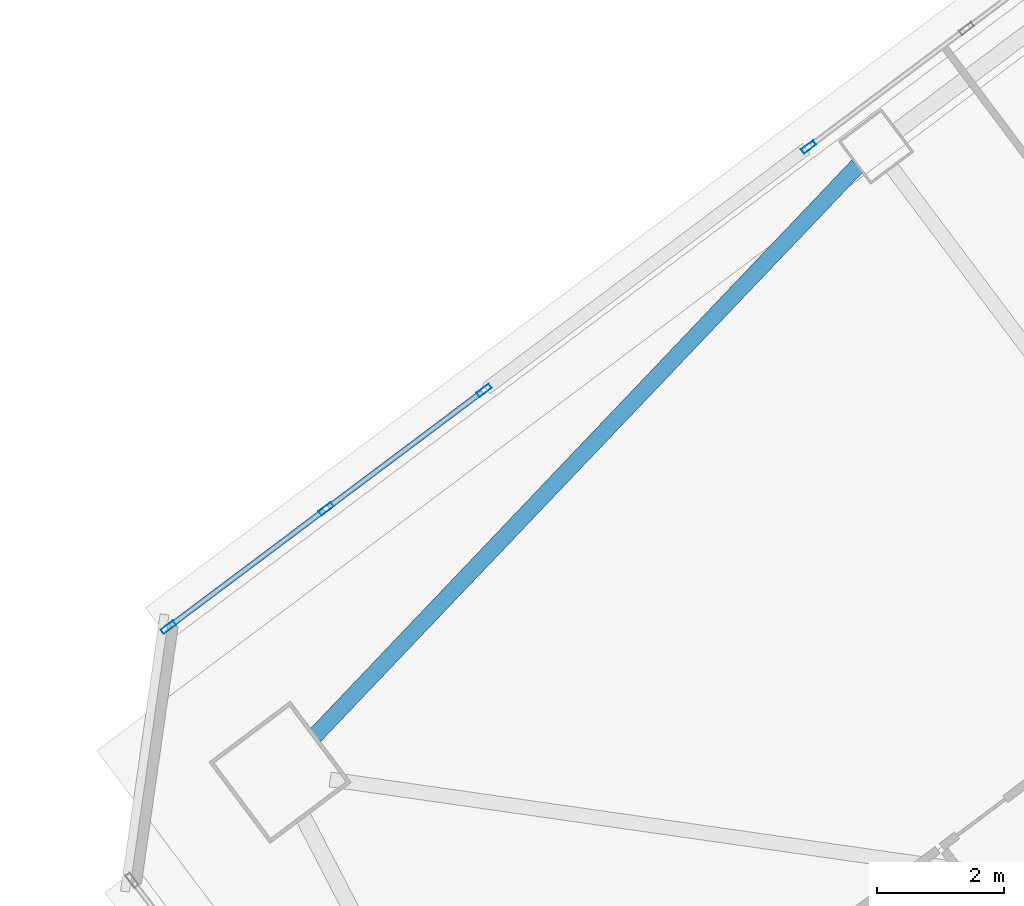
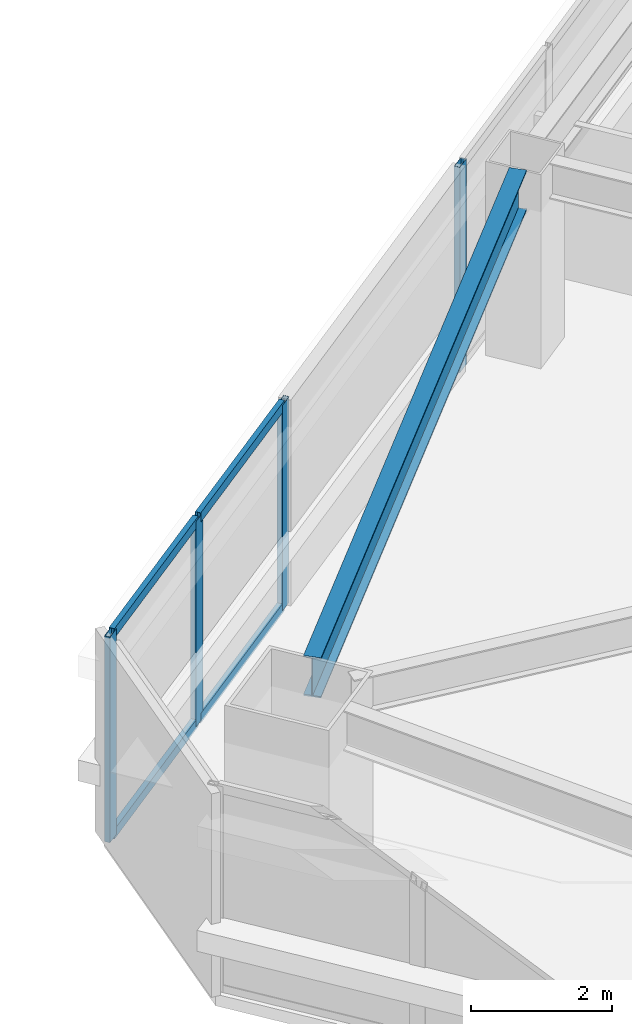
# One storey, part 28 of 47: 8 members, 1 beam, 2 elements without a shape of their own.
"""IFC4 building model written with IfcOpenShell, lengths in metres."""

from ifc_helpers import new_model, si_unit, direction, frame, origin, origin_2d, place, context, subcontext, project, spatial, hollow_rectangle, i_section, extrude, material, material_profile, profile_set, type_object, element, aggregate, save


model = new_model("IFC4")

# Units and contexts
model_context = context("Model", 3, precision=1e-05, world=origin(), true_north=direction((0.0, 1.0)))
body_context = subcontext(model_context, "Body", "Model", "MODEL_VIEW")
ifc_project = project(units=[si_unit("LENGTHUNIT", "METRE"), si_unit("AREAUNIT", "SQUARE_METRE"), si_unit("VOLUMEUNIT", "CUBIC_METRE"), si_unit("PLANEANGLEUNIT", "RADIAN"), si_unit("MASSUNIT", "GRAM", prefix="KILO")], contexts=[model_context])

# Site, building, storey
site_placement = place(None, origin())
site = spatial("IfcSite", under=ifc_project, at=site_placement, CompositionType="ELEMENT")
building_placement = place(site_placement, origin())
building = spatial("IfcBuilding", under=site, at=building_placement, Name="Tashvorn Skyway Center", CompositionType="ELEMENT")
storey_placement = place(building_placement, frame((0.0, 0.0, 42.35009765625)))
storey = spatial("IfcBuildingStorey", under=building, at=storey_placement, Name="L10", CompositionType="ELEMENT", Elevation=42.35009765625)

# Beam
ifc_material_1 = material(Name="Steel ASTM A992 Grade 50", Category="steel")
ifc_material_profile_1 = material_profile(ifc_material_1, i_section(OverallWidth=0.256103515625, OverallDepth=0.693115234375, WebThickness=0.014404296875, FlangeThickness=0.023681640625, at=origin_2d()), Name="W27X114")
ifc_profile_set_1 = profile_set([ifc_material_profile_1], Name="Steel ASTM A992 Grade 50")
beam_type = type_object("IfcBeamType", Name="BM-SPANDREL-W27X114", PredefinedType="SPANDREL", material=ifc_profile_set_1)
beam_placement = place(storey_placement, frame((96.76025390625, 45.2958984375, 3.00341796875), z_axis=(-0.689589637236, -0.724200339835, 0.0), x_axis=(0.724200339835, -0.689589637236, 0.0)))
element("IfcBeam", 1, at=beam_placement, inside=storey, type_object=beam_type, Name="Tower 2 L10 Spandrel Beam 09", PredefinedType="SPANDREL", context=body_context, shape_type="SweptSolid", body=[
    extrude(i_section(OverallWidth=0.256103515625, OverallDepth=0.693115234375, WebThickness=0.014404296875, FlangeThickness=0.023681640625, at=origin_2d()), origin(), (0.0, 0.0, 1.0), 12.37255859375),
])

# Curtain wall, members
ifc_material_2 = material(Name="Thermally broken bronze-anodized aluminium 6063-T6", Category="aluminium")
curtain_wall_type = type_object("IfcCurtainWallType", Name="CW-CW-Z1", PredefinedType="NOTDEFINED", material=ifc_material_2)
curtain_wall_1_placement = place(storey_placement, origin())
curtain_wall_1 = element("IfcCurtainWall", 2, at=curtain_wall_1_placement, inside=storey, type_object=curtain_wall_type, Name="Tower 2 L10 North Unitised Curtain Wall Glazing Group 1", PredefinedType="NOTDEFINED")
ifc_material_profile_2 = material_profile(ifc_material_2, hollow_rectangle(XDim=0.0849609375, YDim=0.239990234375, WallThickness=0.0048828125, at=origin_2d()), Name="ALU-MULL-85x240")
ifc_profile_set_2 = profile_set([ifc_material_profile_2], Name="Thermally broken bronze-anodized aluminium 6063-T6")
member_type_1 = type_object("IfcMemberType", Name="CWM-CW-Z1", PredefinedType="MULLION", material=ifc_profile_set_2)
member_1_placement = place(storey_placement, frame((85.922119140625, 38.04150390625, 0.0), z_axis=(0.0, 0.0, 1.0), x_axis=(-0.599997457641, 0.800001906763, 0.0)))
member_1 = element("IfcMember", 3, at=member_1_placement, type_object=member_type_1, Name="CW-Z1 mullion 1", PredefinedType="MULLION", context=body_context, shape_type="SweptSolid", body=[
    extrude(hollow_rectangle(XDim=0.0849609375, YDim=0.239990234375, WallThickness=0.0048828125, at=origin_2d()), origin(), (0.0, 0.0, 1.0), 3.5498046875),
])
member_2_placement = place(storey_placement, frame((88.4052734375, 39.904052734375, 0.0), z_axis=(0.0, 0.0, 1.0), x_axis=(-0.599997457641, 0.800001906763, 0.0)))
member_2 = element("IfcMember", 4, at=member_2_placement, type_object=member_type_1, Name="CW-Z1 mullion 2", PredefinedType="MULLION", context=body_context, shape_type="SweptSolid", body=[
    extrude(hollow_rectangle(XDim=0.0849609375, YDim=0.239990234375, WallThickness=0.0048828125, at=origin_2d()), origin(), (0.0, 0.0, 1.0), 3.5498046875),
])
member_3_placement = place(storey_placement, frame((90.888671875, 41.7666015625, 0.0), z_axis=(0.0, 0.0, 1.0), x_axis=(-0.599997457641, 0.800001906763, 0.0)))
member_3 = element("IfcMember", 5, at=member_3_placement, type_object=member_type_1, Name="CW-Z1 mullion 3", PredefinedType="MULLION", context=body_context, shape_type="SweptSolid", body=[
    extrude(hollow_rectangle(XDim=0.0849609375, YDim=0.239990234375, WallThickness=0.0048828125, at=origin_2d()), origin(), (0.0, 0.0, 1.0), 3.5498046875),
])

# Curtain wall, member
curtain_wall_2_placement = place(storey_placement, origin())
curtain_wall_2 = element("IfcCurtainWall", 6, at=curtain_wall_2_placement, inside=storey, type_object=curtain_wall_type, Name="Tower 2 L10 North Unitised Curtain Wall Glazing Group 2", PredefinedType="NOTDEFINED")
member_4_placement = place(storey_placement, frame((95.9912109375, 45.593505859375, 0.0), z_axis=(0.0, 0.0, 1.0), x_axis=(-0.599997457641, 0.800001906763, 0.0)))
member_4 = element("IfcMember", 7, at=member_4_placement, type_object=member_type_1, Name="CW-Z1 mullion 1", PredefinedType="MULLION", context=body_context, shape_type="SweptSolid", body=[
    extrude(hollow_rectangle(XDim=0.0849609375, YDim=0.239990234375, WallThickness=0.0048828125, at=origin_2d()), origin(), (0.0, 0.0, 1.0), 3.5498046875),
])
aggregate(curtain_wall_2, [member_4])

# Member
ifc_material_profile_3 = material_profile(ifc_material_2, hollow_rectangle(XDim=0.0849609375, YDim=0.1650390625, WallThickness=0.0048828125, at=origin_2d()), Name="ALU-TRAN-85x165")
ifc_profile_set_3 = profile_set([ifc_material_profile_3], Name="Thermally broken bronze-anodized aluminium 6063-T6")
member_type_2 = type_object("IfcMemberType", Name="CWT-CW-Z1", PredefinedType="USERDEFINED", material=ifc_profile_set_3)
member_5_placement = place(storey_placement, frame((85.9560546875, 38.06689453125, 0.04248046875), z_axis=(0.799990296182, 0.600012938206, 0.0), x_axis=(-0.600012938206, 0.799990296182, 0.0)))
member_5 = element("IfcMember", 8, at=member_5_placement, type_object=member_type_2, Name="CW-Z1 transom 1.1", ObjectType="TRANSOM", PredefinedType="USERDEFINED", context=body_context, shape_type="SweptSolid", body=[
    extrude(hollow_rectangle(XDim=0.0849609375, YDim=0.1650390625, WallThickness=0.0048828125, at=origin_2d()), origin(), (0.0, 0.0, 1.0), 3.01904296875),
])

member_6_placement = place(storey_placement, frame((85.9560546875, 38.06689453125, 3.50732421875), z_axis=(0.799990296182, 0.600012938206, 0.0), x_axis=(-0.600012938206, 0.799990296182, 0.0)))
member_6 = element("IfcMember", 9, at=member_6_placement, type_object=member_type_2, Name="CW-Z1 transom 1.2", ObjectType="TRANSOM", PredefinedType="USERDEFINED", context=body_context, shape_type="SweptSolid", body=[
    extrude(hollow_rectangle(XDim=0.0849609375, YDim=0.1650390625, WallThickness=0.0048828125, at=origin_2d()), origin(), (0.0, 0.0, 1.0), 3.01904296875),
])

member_7_placement = place(storey_placement, frame((88.439453125, 39.929443359375, 0.04248046875), z_axis=(0.799990296182, 0.600012938206, 0.0), x_axis=(-0.600012938206, 0.799990296182, 0.0)))
member_7 = element("IfcMember", 10, at=member_7_placement, type_object=member_type_2, Name="CW-Z1 transom 2.1", ObjectType="TRANSOM", PredefinedType="USERDEFINED", context=body_context, shape_type="SweptSolid", body=[
    extrude(hollow_rectangle(XDim=0.0849609375, YDim=0.1650390625, WallThickness=0.0048828125, at=origin_2d()), origin(), (0.0, 0.0, 1.0), 3.01904296875),
])

member_8_placement = place(storey_placement, frame((88.439453125, 39.929443359375, 3.50732421875), z_axis=(0.799990296182, 0.600012938206, 0.0), x_axis=(-0.600012938206, 0.799990296182, 0.0)))
member_8 = element("IfcMember", 11, at=member_8_placement, type_object=member_type_2, Name="CW-Z1 transom 2.2", ObjectType="TRANSOM", PredefinedType="USERDEFINED", context=body_context, shape_type="SweptSolid", body=[
    extrude(hollow_rectangle(XDim=0.0849609375, YDim=0.1650390625, WallThickness=0.0048828125, at=origin_2d()), origin(), (0.0, 0.0, 1.0), 3.01904296875),
])

aggregate(curtain_wall_1, [member_1, member_2, member_3, member_5, member_6, member_7, member_8])

save(model, "model.ifc")
